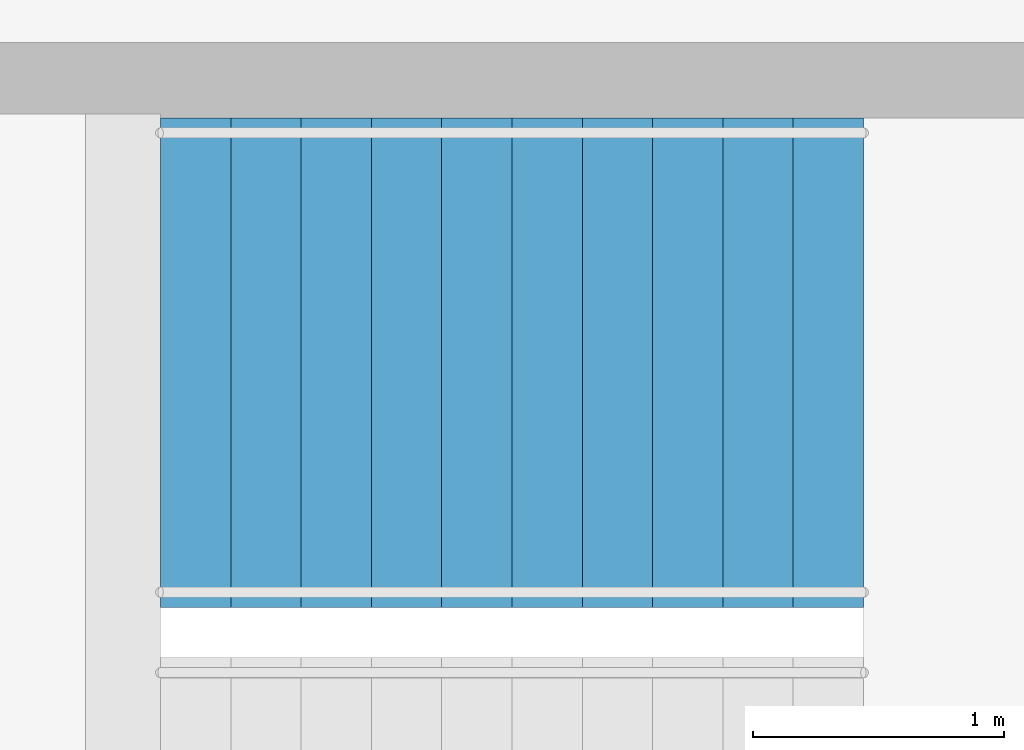
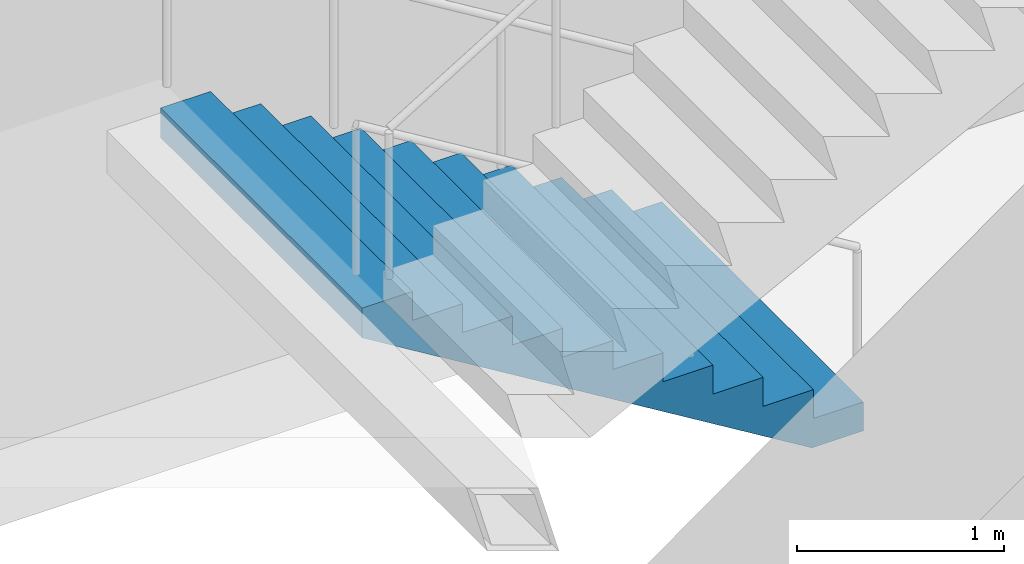
# One storey, part 25 of 27: 1 stair flight, 1 element without a shape of its own.
"""IFC4 building model written with IfcOpenShell, lengths in metres."""

from ifc_helpers import new_model, si_unit, direction, frame, origin, place, context, subcontext, project, spatial, triangles, material, type_object, element, aggregate, save


model = new_model("IFC4")

# Units and contexts
model_context = context("Model", 3, precision=1e-05, world=origin(), true_north=direction((0.0, 1.0)))
body_context = subcontext(model_context, "Body", "Model", "MODEL_VIEW")
ifc_project = project(units=[si_unit("LENGTHUNIT", "METRE"), si_unit("AREAUNIT", "SQUARE_METRE"), si_unit("VOLUMEUNIT", "CUBIC_METRE"), si_unit("PLANEANGLEUNIT", "RADIAN"), si_unit("MASSUNIT", "GRAM", prefix="KILO")], contexts=[model_context])

# Site, building, storey
site_placement = place(None, origin())
site = spatial("IfcSite", under=ifc_project, at=site_placement, CompositionType="ELEMENT")
building_placement = place(site_placement, origin())
building = spatial("IfcBuilding", under=site, at=building_placement, Name="Orbita Commons", CompositionType="ELEMENT")
storey_placement = place(building_placement, frame((0.0, 0.0, 246.550048828125)))
storey = spatial("IfcBuildingStorey", under=building, at=storey_placement, Name="L61", CompositionType="ELEMENT", Elevation=246.550048828125)

# Stair, stair flight
ifc_material_1 = material(Name="Precast concrete C40/50", Category="concrete")
stair_type = type_object("IfcStairType", Name="Exit stair S2 2 flights 11 risers 170", PredefinedType="HALF_TURN_STAIR", material=ifc_material_1)
stair_placement = place(storey_placement, origin())
stair = element("IfcStair", 1, at=stair_placement, inside=storey, type_object=stair_type, Name="Exit stair S2 L61", PredefinedType="HALF_TURN_STAIR")
ifc_material_2 = material(Name="Precast concrete C40/50", Category="concrete")
stair_flight_type = type_object("IfcStairFlightType", Name="Stair flight 11 risers 170 x 280", PredefinedType="STRAIGHT", material=ifc_material_2)
stair_flight_placement = place(storey_placement, frame((63.550048828125, 29.27490234375, 0.0), z_axis=(0.0, 0.0, 1.0), x_axis=(-1.0, 0.0, 0.0)))
stair_flight = element("IfcStairFlight", 2, at=stair_flight_placement, type_object=stair_flight_type, Name="S2 flight 1", NumberOfRisers=11, NumberOfTreads=10, PredefinedType="STRAIGHT", RiserHeight=0.170454545, TreadLength=0.28, context=body_context, shape_type="Tessellation", body=[
    triangles([(0.0, 0.974976, 0.0), (0.0, 0.974976, 0.021307), (0.0, 0.81248, 0.021307), (0.0, 0.81248, 0.0), (0.0, 0.649984, 0.021307), (0.0, 0.649984, 0.0), (0.0, 0.487488, 0.021307), (0.0, 0.487488, 0.0), (0.0, 0.324992, 0.021307), (0.0, 0.324992, 0.0), (0.0, 0.162496, 0.021307), (0.0, 0.162496, 0.0), (0.0, 0.0, 0.021307), (0.0, 0.0, 0.0), (0.0, -0.162496, 0.021307), (0.0, -0.162496, 0.0), (0.0, -0.324992, 0.021307), (0.0, -0.324992, 0.0), (0.0, -0.487488, 0.021307), (0.0, -0.487488, 0.0), (0.0, -0.649984, 0.021307), (0.0, -0.649984, 0.0), (0.0, -0.81248, 0.021307), (0.0, -0.81248, 0.0), (0.0, -0.974976, 0.021307), (0.0, -0.974976, 0.0), (0.0, 0.974976, 0.042614), (0.0, 0.81248, 0.042614), (0.0, 0.649984, 0.042614), (0.0, 0.487488, 0.042614), (0.0, 0.324992, 0.042614), (0.0, 0.162496, 0.042614), (0.0, 0.0, 0.042614), (0.0, -0.162496, 0.042614), (0.0, -0.324992, 0.042614), (0.0, -0.487488, 0.042614), (0.0, -0.649984, 0.042614), (0.0, -0.81248, 0.042614), (0.0, -0.974976, 0.042614), (0.0, 0.974976, 0.06392), (0.0, 0.81248, 0.06392), (0.0, 0.649984, 0.06392), (0.0, 0.487488, 0.06392), (0.0, 0.324992, 0.06392), (0.0, 0.162496, 0.06392), (0.0, 0.0, 0.06392), (0.0, -0.162496, 0.06392), (0.0, -0.324992, 0.06392), (0.0, -0.487488, 0.06392), (0.0, -0.649984, 0.06392), (0.0, -0.81248, 0.06392), (0.0, -0.974976, 0.06392), (0.0, 0.974976, 0.085227), (0.0, 0.81248, 0.085227), (0.0, 0.649984, 0.085227), (0.0, 0.487488, 0.085227), (0.0, 0.324992, 0.085227), (0.0, 0.162496, 0.085227), (0.0, 0.0, 0.085227), (0.0, -0.162496, 0.085227), (0.0, -0.324992, 0.085227), (0.0, -0.487488, 0.085227), (0.0, -0.649984, 0.085227), (0.0, -0.81248, 0.085227), (0.0, -0.974976, 0.085227), (0.0, 0.974976, 0.106534), (0.0, 0.81248, 0.106534), (0.0, 0.649984, 0.106534), (0.0, 0.487488, 0.106534), (0.0, 0.324992, 0.106534), (0.0, 0.162496, 0.106534), (0.0, 0.0, 0.106534), (0.0, -0.162496, 0.106534), (0.0, -0.324992, 0.106534), (0.0, -0.487488, 0.106534), (0.0, -0.649984, 0.106534), (0.0, -0.81248, 0.106534), (0.0, -0.974976, 0.106534), (0.0, 0.974976, 0.127841), (0.0, 0.81248, 0.127841), (0.0, 0.649984, 0.127841), (0.0, 0.487488, 0.127841), (0.0, 0.324992, 0.127841), (0.0, 0.162496, 0.127841), (0.0, 0.0, 0.127841), (0.0, -0.162496, 0.127841), (0.0, -0.324992, 0.127841), (0.0, -0.487488, 0.127841), (0.0, -0.649984, 0.127841), (0.0, -0.81248, 0.127841), (0.0, -0.974976, 0.127841), (0.0, 0.974976, 0.149148), (0.0, 0.81248, 0.149148), (0.0, 0.649984, 0.149148), (0.0, 0.487488, 0.149148), (0.0, 0.324992, 0.149148), (0.0, 0.162496, 0.149148), (0.0, 0.0, 0.149148), (0.0, -0.162496, 0.149148), (0.0, -0.324992, 0.149148), (0.0, -0.487488, 0.149148), (0.0, -0.649984, 0.149148), (0.0, -0.81248, 0.149148), (0.0, -0.974976, 0.149148), (0.0, 0.974976, 0.170455), (0.0, 0.81248, 0.170455), (0.0, 0.649984, 0.170455), (0.0, 0.487488, 0.170455), (0.0, 0.324992, 0.170455), (0.0, 0.162496, 0.170455), (0.0, 0.0, 0.170455), (0.0, -0.162496, 0.170455), (0.0, -0.324992, 0.170455), (0.0, -0.487488, 0.170455), (0.0, -0.649984, 0.170455), (0.0, -0.81248, 0.170455), (0.0, -0.974976, 0.170455), (0.28, 0.974976, 0.170455), (0.28, 0.81248, 0.170455), (0.28, 0.649984, 0.170455), (0.28, 0.487488, 0.170455), (0.28, 0.324992, 0.170455), (0.28, 0.162496, 0.170455), (0.28, 0.0, 0.170455), (0.28, -0.162496, 0.170455), (0.28, -0.324992, 0.170455), (0.28, -0.487488, 0.170455), (0.28, -0.649984, 0.170455), (0.28, -0.81248, 0.170455), (0.28, -0.974976, 0.170455), (0.28, 0.974976, 0.340909), (0.28, 0.81248, 0.340909), (0.28, 0.649984, 0.340909), (0.28, 0.487488, 0.340909), (0.28, 0.324992, 0.340909), (0.28, 0.162496, 0.340909), (0.28, 0.0, 0.340909), (0.28, -0.162496, 0.340909), (0.28, -0.324992, 0.340909), (0.28, -0.487488, 0.340909), (0.28, -0.649984, 0.340909), (0.28, -0.81248, 0.340909), (0.28, -0.974976, 0.340909), (0.56, 0.974976, 0.340909), (0.56, 0.81248, 0.340909), (0.56, 0.649984, 0.340909), (0.56, 0.487488, 0.340909), (0.56, 0.324992, 0.340909), (0.56, 0.162496, 0.340909), (0.56, 0.0, 0.340909), (0.56, -0.162496, 0.340909), (0.56, -0.324992, 0.340909), (0.56, -0.487488, 0.340909), (0.56, -0.649984, 0.340909), (0.56, -0.81248, 0.340909), (0.56, -0.974976, 0.340909), (0.56, 0.974976, 0.511364), (0.56, 0.81248, 0.511364), (0.56, 0.649984, 0.511364), (0.56, 0.487488, 0.511364), (0.56, 0.324992, 0.511364), (0.56, 0.162496, 0.511364), (0.56, 0.0, 0.511364), (0.56, -0.162496, 0.511364), (0.56, -0.324992, 0.511364), (0.56, -0.487488, 0.511364), (0.56, -0.649984, 0.511364), (0.56, -0.81248, 0.511364), (0.56, -0.974976, 0.511364), (0.84, 0.974976, 0.511364), (0.84, 0.81248, 0.511364), (0.84, 0.649984, 0.511364), (0.84, 0.487488, 0.511364), (0.84, 0.324992, 0.511364), (0.84, 0.162496, 0.511364), (0.84, 0.0, 0.511364), (0.84, -0.162496, 0.511364), (0.84, -0.324992, 0.511364), (0.84, -0.487488, 0.511364), (0.84, -0.649984, 0.511364), (0.84, -0.81248, 0.511364), (0.84, -0.974976, 0.511364), (0.84, 0.974976, 0.681818), (0.84, 0.81248, 0.681818), (0.84, 0.649984, 0.681818), (0.84, 0.487488, 0.681818), (0.84, 0.324992, 0.681818), (0.84, 0.162496, 0.681818), (0.84, 0.0, 0.681818), (0.84, -0.162496, 0.681818), (0.84, -0.324992, 0.681818), (0.84, -0.487488, 0.681818), (0.84, -0.649984, 0.681818), (0.84, -0.81248, 0.681818), (0.84, -0.974976, 0.681818), (1.12, 0.974976, 0.681818), (1.12, 0.81248, 0.681818), (1.12, 0.649984, 0.681818), (1.12, 0.487488, 0.681818), (1.12, 0.324992, 0.681818), (1.12, 0.162496, 0.681818), (1.12, 0.0, 0.681818), (1.12, -0.162496, 0.681818), (1.12, -0.324992, 0.681818), (1.12, -0.487488, 0.681818), (1.12, -0.649984, 0.681818), (1.12, -0.81248, 0.681818), (1.12, -0.974976, 0.681818), (1.12, 0.974976, 0.852273), (1.12, 0.81248, 0.852273), (1.12, 0.649984, 0.852273), (1.12, 0.487488, 0.852273), (1.12, 0.324992, 0.852273), (1.12, 0.162496, 0.852273), (1.12, 0.0, 0.852273), (1.12, -0.162496, 0.852273), (1.12, -0.324992, 0.852273), (1.12, -0.487488, 0.852273), (1.12, -0.649984, 0.852273), (1.12, -0.81248, 0.852273), (1.12, -0.974976, 0.852273), (1.4, 0.974976, 0.852273), (1.4, 0.81248, 0.852273), (1.4, 0.649984, 0.852273), (1.4, 0.487488, 0.852273), (1.4, 0.324992, 0.852273), (1.4, 0.162496, 0.852273), (1.4, 0.0, 0.852273), (1.4, -0.162496, 0.852273), (1.4, -0.324992, 0.852273), (1.4, -0.487488, 0.852273), (1.4, -0.649984, 0.852273), (1.4, -0.81248, 0.852273), (1.4, -0.974976, 0.852273), (1.4, 0.974976, 1.022727), (1.4, 0.81248, 1.022727), (1.4, 0.649984, 1.022727), (1.4, 0.487488, 1.022727), (1.4, 0.324992, 1.022727), (1.4, 0.162496, 1.022727), (1.4, 0.0, 1.022727), (1.4, -0.162496, 1.022727), (1.4, -0.324992, 1.022727), (1.4, -0.487488, 1.022727), (1.4, -0.649984, 1.022727), (1.4, -0.81248, 1.022727), (1.4, -0.974976, 1.022727), (1.68, 0.974976, 1.022727), (1.68, 0.81248, 1.022727), (1.68, 0.649984, 1.022727), (1.68, 0.487488, 1.022727), (1.68, 0.324992, 1.022727), (1.68, 0.162496, 1.022727), (1.68, 0.0, 1.022727), (1.68, -0.162496, 1.022727), (1.68, -0.324992, 1.022727), (1.68, -0.487488, 1.022727), (1.68, -0.649984, 1.022727), (1.68, -0.81248, 1.022727), (1.68, -0.974976, 1.022727), (1.68, 0.974976, 1.193182), (1.68, 0.81248, 1.193182), (1.68, 0.649984, 1.193182), (1.68, 0.487488, 1.193182), (1.68, 0.324992, 1.193182), (1.68, 0.162496, 1.193182), (1.68, 0.0, 1.193182), (1.68, -0.162496, 1.193182), (1.68, -0.324992, 1.193182), (1.68, -0.487488, 1.193182), (1.68, -0.649984, 1.193182), (1.68, -0.81248, 1.193182), (1.68, -0.974976, 1.193182), (1.96, 0.974976, 1.193182), (1.96, 0.81248, 1.193182), (1.96, 0.649984, 1.193182), (1.96, 0.487488, 1.193182), (1.96, 0.324992, 1.193182), (1.96, 0.162496, 1.193182), (1.96, 0.0, 1.193182), (1.96, -0.162496, 1.193182), (1.96, -0.324992, 1.193182), (1.96, -0.487488, 1.193182), (1.96, -0.649984, 1.193182), (1.96, -0.81248, 1.193182), (1.96, -0.974976, 1.193182), (1.96, 0.974976, 1.363636), (1.96, 0.81248, 1.363636), (1.96, 0.649984, 1.363636), (1.96, 0.487488, 1.363636), (1.96, 0.324992, 1.363636), (1.96, 0.162496, 1.363636), (1.96, 0.0, 1.363636), (1.96, -0.162496, 1.363636), (1.96, -0.324992, 1.363636), (1.96, -0.487488, 1.363636), (1.96, -0.649984, 1.363636), (1.96, -0.81248, 1.363636), (1.96, -0.974976, 1.363636), (2.24, 0.974976, 1.363636), (2.24, 0.81248, 1.363636), (2.24, 0.649984, 1.363636), (2.24, 0.487488, 1.363636), (2.24, 0.324992, 1.363636), (2.24, 0.162496, 1.363636), (2.24, 0.0, 1.363636), (2.24, -0.162496, 1.363636), (2.24, -0.324992, 1.363636), (2.24, -0.487488, 1.363636), (2.24, -0.649984, 1.363636), (2.24, -0.81248, 1.363636), (2.24, -0.974976, 1.363636), (2.24, 0.974976, 1.534091), (2.24, 0.81248, 1.534091), (2.24, 0.649984, 1.534091), (2.24, 0.487488, 1.534091), (2.24, 0.324992, 1.534091), (2.24, 0.162496, 1.534091), (2.24, 0.0, 1.534091), (2.24, -0.162496, 1.534091), (2.24, -0.324992, 1.534091), (2.24, -0.487488, 1.534091), (2.24, -0.649984, 1.534091), (2.24, -0.81248, 1.534091), (2.24, -0.974976, 1.534091), (2.52, 0.974976, 1.534091), (2.52, 0.81248, 1.534091), (2.52, 0.649984, 1.534091), (2.52, 0.487488, 1.534091), (2.52, 0.324992, 1.534091), (2.52, 0.162496, 1.534091), (2.52, 0.0, 1.534091), (2.52, -0.162496, 1.534091), (2.52, -0.324992, 1.534091), (2.52, -0.487488, 1.534091), (2.52, -0.649984, 1.534091), (2.52, -0.81248, 1.534091), (2.52, -0.974976, 1.534091), (2.52, 0.974976, 1.704545), (2.52, 0.81248, 1.704545), (2.52, 0.649984, 1.704545), (2.52, 0.487488, 1.704545), (2.52, 0.324992, 1.704545), (2.52, 0.162496, 1.704545), (2.52, 0.0, 1.704545), (2.52, -0.162496, 1.704545), (2.52, -0.324992, 1.704545), (2.52, -0.487488, 1.704545), (2.52, -0.649984, 1.704545), (2.52, -0.81248, 1.704545), (2.52, -0.974976, 1.704545), (2.8, 0.974976, 1.704545), (2.8, 0.81248, 1.704545), (2.8, 0.649984, 1.704545), (2.8, 0.487488, 1.704545), (2.8, 0.324992, 1.704545), (2.8, 0.162496, 1.704545), (2.8, 0.0, 1.704545), (2.8, -0.162496, 1.704545), (2.8, -0.324992, 1.704545), (2.8, -0.487488, 1.704545), (2.8, -0.649984, 1.704545), (2.8, -0.81248, 1.704545), (2.8, -0.974976, 1.704545), (2.8, 0.974976, 1.682609), (2.8, 0.81248, 1.682609), (2.8, 0.649984, 1.682609), (2.8, 0.487488, 1.682609), (2.8, 0.324992, 1.682609), (2.8, 0.162496, 1.682609), (2.8, 0.0, 1.682609), (2.8, -0.162496, 1.682609), (2.8, -0.324992, 1.682609), (2.8, -0.487488, 1.682609), (2.8, -0.649984, 1.682609), (2.8, -0.81248, 1.682609), (2.8, -0.974976, 1.682609), (2.8, 0.974976, 1.660672), (2.8, 0.81248, 1.660672), (2.8, 0.649984, 1.660672), (2.8, 0.487488, 1.660672), (2.8, 0.324992, 1.660672), (2.8, 0.162496, 1.660672), (2.8, 0.0, 1.660672), (2.8, -0.162496, 1.660672), (2.8, -0.324992, 1.660672), (2.8, -0.487488, 1.660672), (2.8, -0.649984, 1.660672), (2.8, -0.81248, 1.660672), (2.8, -0.974976, 1.660672), (2.8, 0.974976, 1.638735), (2.8, 0.81248, 1.638735), (2.8, 0.649984, 1.638735), (2.8, 0.487488, 1.638735), (2.8, 0.324992, 1.638735), (2.8, 0.162496, 1.638735), (2.8, 0.0, 1.638735), (2.8, -0.162496, 1.638735), (2.8, -0.324992, 1.638735), (2.8, -0.487488, 1.638735), (2.8, -0.649984, 1.638735), (2.8, -0.81248, 1.638735), (2.8, -0.974976, 1.638735), (2.8, 0.974976, 1.616798), (2.8, 0.81248, 1.616798), (2.8, 0.649984, 1.616798), (2.8, 0.487488, 1.616798), (2.8, 0.324992, 1.616798), (2.8, 0.162496, 1.616798), (2.8, 0.0, 1.616798), (2.8, -0.162496, 1.616798), (2.8, -0.324992, 1.616798), (2.8, -0.487488, 1.616798), (2.8, -0.649984, 1.616798), (2.8, -0.81248, 1.616798), (2.8, -0.974976, 1.616798), (2.8, 0.974976, 1.594861), (2.8, 0.81248, 1.594861), (2.8, 0.649984, 1.594861), (2.8, 0.487488, 1.594861), (2.8, 0.324992, 1.594861), (2.8, 0.162496, 1.594861), (2.8, 0.0, 1.594861), (2.8, -0.162496, 1.594861), (2.8, -0.324992, 1.594861), (2.8, -0.487488, 1.594861), (2.8, -0.649984, 1.594861), (2.8, -0.81248, 1.594861), (2.8, -0.974976, 1.594861), (2.8, 0.974976, 1.572925), (2.8, 0.81248, 1.572925), (2.8, 0.649984, 1.572925), (2.8, 0.487488, 1.572925), (2.8, 0.324992, 1.572925), (2.8, 0.162496, 1.572925), (2.8, 0.0, 1.572925), (2.8, -0.162496, 1.572925), (2.8, -0.324992, 1.572925), (2.8, -0.487488, 1.572925), (2.8, -0.649984, 1.572925), (2.8, -0.81248, 1.572925), (2.8, -0.974976, 1.572925), (2.8, 0.974976, 1.550988), (2.8, 0.81248, 1.550988), (2.8, 0.649984, 1.550988), (2.8, 0.487488, 1.550988), (2.8, 0.324992, 1.550988), (2.8, 0.162496, 1.550988), (2.8, 0.0, 1.550988), (2.8, -0.162496, 1.550988), (2.8, -0.324992, 1.550988), (2.8, -0.487488, 1.550988), (2.8, -0.649984, 1.550988), (2.8, -0.81248, 1.550988), (2.8, -0.974976, 1.550988), (2.8, 0.974976, 1.529051), (2.8, 0.81248, 1.529051), (2.8, 0.649984, 1.529051), (2.8, 0.487488, 1.529051), (2.8, 0.324992, 1.529051), (2.8, 0.162496, 1.529051), (2.8, 0.0, 1.529051), (2.8, -0.162496, 1.529051), (2.8, -0.324992, 1.529051), (2.8, -0.487488, 1.529051), (2.8, -0.649984, 1.529051), (2.8, -0.81248, 1.529051), (2.8, -0.974976, 1.529051), (0.288279, 0.974976, 0.0), (0.288279, 0.81248, 0.0), (0.288279, 0.649984, 0.0), (0.288279, 0.487488, 0.0), (0.288279, 0.324992, 0.0), (0.288279, 0.162496, 0.0), (0.288279, 0.0, 0.0), (0.288279, -0.162496, 0.0), (0.288279, -0.324992, 0.0), (0.288279, -0.487488, 0.0), (0.288279, -0.649984, 0.0), (0.288279, -0.81248, 0.0), (0.288279, -0.974976, 0.0)], [[3, 2, 1], [4, 3, 1], [5, 3, 4], [6, 5, 4], [7, 5, 6], [8, 7, 6], [9, 7, 8], [10, 9, 8], [11, 9, 10], [12, 11, 10], [13, 11, 12], [14, 13, 12], [15, 13, 14], [16, 15, 14], [17, 15, 16], [18, 17, 16], [19, 17, 18], [20, 19, 18], [21, 19, 20], [22, 21, 20], [23, 21, 22], [24, 23, 22], [25, 23, 24], [26, 25, 24], [28, 27, 2], [3, 28, 2], [29, 28, 3], [5, 29, 3], [30, 29, 5], [7, 30, 5], [31, 30, 7], [9, 31, 7], [32, 31, 9], [11, 32, 9], [33, 32, 11], [13, 33, 11], [34, 33, 13], [15, 34, 13], [35, 34, 15], [17, 35, 15], [36, 35, 17], [19, 36, 17], [37, 36, 19], [21, 37, 19], [38, 37, 21], [23, 38, 21], [39, 38, 23], [25, 39, 23], [41, 40, 27], [28, 41, 27], [42, 41, 28], [29, 42, 28], [43, 42, 29], [30, 43, 29], [44, 43, 30], [31, 44, 30], [45, 44, 31], [32, 45, 31], [46, 45, 32], [33, 46, 32], [47, 46, 33], [34, 47, 33], [48, 47, 34], [35, 48, 34], [49, 48, 35], [36, 49, 35], [50, 49, 36], [37, 50, 36], [51, 50, 37], [38, 51, 37], [52, 51, 38], [39, 52, 38], [54, 53, 40], [41, 54, 40], [55, 54, 41], [42, 55, 41], [56, 55, 42], [43, 56, 42], [57, 56, 43], [44, 57, 43], [58, 57, 44], [45, 58, 44], [59, 58, 45], [46, 59, 45], [60, 59, 46], [47, 60, 46], [61, 60, 47], [48, 61, 47], [62, 61, 48], [49, 62, 48], [63, 62, 49], [50, 63, 49], [64, 63, 50], [51, 64, 50], [65, 64, 51], [52, 65, 51], [67, 66, 53], [54, 67, 53], [68, 67, 54], [55, 68, 54], [69, 68, 55], [56, 69, 55], [70, 69, 56], [57, 70, 56], [71, 70, 57], [58, 71, 57], [72, 71, 58], [59, 72, 58], [73, 72, 59], [60, 73, 59], [74, 73, 60], [61, 74, 60], [75, 74, 61], [62, 75, 61], [76, 75, 62], [63, 76, 62], [77, 76, 63], [64, 77, 63], [78, 77, 64], [65, 78, 64], [80, 79, 66], [67, 80, 66], [81, 80, 67], [68, 81, 67], [82, 81, 68], [69, 82, 68], [83, 82, 69], [70, 83, 69], [84, 83, 70], [71, 84, 70], [85, 84, 71], [72, 85, 71], [86, 85, 72], [73, 86, 72], [87, 86, 73], [74, 87, 73], [88, 87, 74], [75, 88, 74], [89, 88, 75], [76, 89, 75], [90, 89, 76], [77, 90, 76], [91, 90, 77], [78, 91, 77], [93, 92, 79], [80, 93, 79], [94, 93, 80], [81, 94, 80], [95, 94, 81], [82, 95, 81], [96, 95, 82], [83, 96, 82], [97, 96, 83], [84, 97, 83], [98, 97, 84], [85, 98, 84], [99, 98, 85], [86, 99, 85], [100, 99, 86], [87, 100, 86], [101, 100, 87], [88, 101, 87], [102, 101, 88], [89, 102, 88], [103, 102, 89], [90, 103, 89], [104, 103, 90], [91, 104, 90], [106, 105, 92], [93, 106, 92], [107, 106, 93], [94, 107, 93], [108, 107, 94], [95, 108, 94], [109, 108, 95], [96, 109, 95], [110, 109, 96], [97, 110, 96], [111, 110, 97], [98, 111, 97], [112, 111, 98], [99, 112, 98], [113, 112, 99], [100, 113, 99], [114, 113, 100], [101, 114, 100], [115, 114, 101], [102, 115, 101], [116, 115, 102], [103, 116, 102], [117, 116, 103], [104, 117, 103], [119, 118, 105], [106, 119, 105], [120, 119, 106], [107, 120, 106], [121, 120, 107], [108, 121, 107], [122, 121, 108], [109, 122, 108], [123, 122, 109], [110, 123, 109], [124, 123, 110], [111, 124, 110], [125, 124, 111], [112, 125, 111], [126, 125, 112], [113, 126, 112], [127, 126, 113], [114, 127, 113], [128, 127, 114], [115, 128, 114], [129, 128, 115], [116, 129, 115], [130, 129, 116], [117, 130, 116], [132, 131, 118], [119, 132, 118], [133, 132, 119], [120, 133, 119], [134, 133, 120], [121, 134, 120], [135, 134, 121], [122, 135, 121], [136, 135, 122], [123, 136, 122], [137, 136, 123], [124, 137, 123], [138, 137, 124], [125, 138, 124], [139, 138, 125], [126, 139, 125], [140, 139, 126], [127, 140, 126], [141, 140, 127], [128, 141, 127], [142, 141, 128], [129, 142, 128], [143, 142, 129], [130, 143, 129], [145, 144, 131], [132, 145, 131], [146, 145, 132], [133, 146, 132], [147, 146, 133], [134, 147, 133], [148, 147, 134], [135, 148, 134], [149, 148, 135], [136, 149, 135], [150, 149, 136], [137, 150, 136], [151, 150, 137], [138, 151, 137], [152, 151, 138], [139, 152, 138], [153, 152, 139], [140, 153, 139], [154, 153, 140], [141, 154, 140], [155, 154, 141], [142, 155, 141], [156, 155, 142], [143, 156, 142], [158, 157, 144], [145, 158, 144], [159, 158, 145], [146, 159, 145], [160, 159, 146], [147, 160, 146], [161, 160, 147], [148, 161, 147], [162, 161, 148], [149, 162, 148], [163, 162, 149], [150, 163, 149], [164, 163, 150], [151, 164, 150], [165, 164, 151], [152, 165, 151], [166, 165, 152], [153, 166, 152], [167, 166, 153], [154, 167, 153], [168, 167, 154], [155, 168, 154], [169, 168, 155], [156, 169, 155], [171, 170, 157], [158, 171, 157], [172, 171, 158], [159, 172, 158], [173, 172, 159], [160, 173, 159], [174, 173, 160], [161, 174, 160], [175, 174, 161], [162, 175, 161], [176, 175, 162], [163, 176, 162], [177, 176, 163], [164, 177, 163], [178, 177, 164], [165, 178, 164], [179, 178, 165], [166, 179, 165], [180, 179, 166], [167, 180, 166], [181, 180, 167], [168, 181, 167], [182, 181, 168], [169, 182, 168], [184, 183, 170], [171, 184, 170], [185, 184, 171], [172, 185, 171], [186, 185, 172], [173, 186, 172], [187, 186, 173], [174, 187, 173], [188, 187, 174], [175, 188, 174], [189, 188, 175], [176, 189, 175], [190, 189, 176], [177, 190, 176], [191, 190, 177], [178, 191, 177], [192, 191, 178], [179, 192, 178], [193, 192, 179], [180, 193, 179], [194, 193, 180], [181, 194, 180], [195, 194, 181], [182, 195, 181], [197, 196, 183], [184, 197, 183], [198, 197, 184], [185, 198, 184], [199, 198, 185], [186, 199, 185], [200, 199, 186], [187, 200, 186], [201, 200, 187], [188, 201, 187], [202, 201, 188], [189, 202, 188], [203, 202, 189], [190, 203, 189], [204, 203, 190], [191, 204, 190], [205, 204, 191], [192, 205, 191], [206, 205, 192], [193, 206, 192], [207, 206, 193], [194, 207, 193], [208, 207, 194], [195, 208, 194], [210, 209, 196], [197, 210, 196], [211, 210, 197], [198, 211, 197], [212, 211, 198], [199, 212, 198], [213, 212, 199], [200, 213, 199], [214, 213, 200], [201, 214, 200], [215, 214, 201], [202, 215, 201], [216, 215, 202], [203, 216, 202], [217, 216, 203], [204, 217, 203], [218, 217, 204], [205, 218, 204], [219, 218, 205], [206, 219, 205], [220, 219, 206], [207, 220, 206], [221, 220, 207], [208, 221, 207], [223, 222, 209], [210, 223, 209], [224, 223, 210], [211, 224, 210], [225, 224, 211], [212, 225, 211], [226, 225, 212], [213, 226, 212], [227, 226, 213], [214, 227, 213], [228, 227, 214], [215, 228, 214], [229, 228, 215], [216, 229, 215], [230, 229, 216], [217, 230, 216], [231, 230, 217], [218, 231, 217], [232, 231, 218], [219, 232, 218], [233, 232, 219], [220, 233, 219], [234, 233, 220], [221, 234, 220], [236, 235, 222], [223, 236, 222], [237, 236, 223], [224, 237, 223], [238, 237, 224], [225, 238, 224], [239, 238, 225], [226, 239, 225], [240, 239, 226], [227, 240, 226], [241, 240, 227], [228, 241, 227], [242, 241, 228], [229, 242, 228], [243, 242, 229], [230, 243, 229], [244, 243, 230], [231, 244, 230], [245, 244, 231], [232, 245, 231], [246, 245, 232], [233, 246, 232], [247, 246, 233], [234, 247, 233], [249, 248, 235], [236, 249, 235], [250, 249, 236], [237, 250, 236], [251, 250, 237], [238, 251, 237], [252, 251, 238], [239, 252, 238], [253, 252, 239], [240, 253, 239], [254, 253, 240], [241, 254, 240], [255, 254, 241], [242, 255, 241], [256, 255, 242], [243, 256, 242], [257, 256, 243], [244, 257, 243], [258, 257, 244], [245, 258, 244], [259, 258, 245], [246, 259, 245], [260, 259, 246], [247, 260, 246], [262, 261, 248], [249, 262, 248], [263, 262, 249], [250, 263, 249], [264, 263, 250], [251, 264, 250], [265, 264, 251], [252, 265, 251], [266, 265, 252], [253, 266, 252], [267, 266, 253], [254, 267, 253], [268, 267, 254], [255, 268, 254], [269, 268, 255], [256, 269, 255], [270, 269, 256], [257, 270, 256], [271, 270, 257], [258, 271, 257], [272, 271, 258], [259, 272, 258], [273, 272, 259], [260, 273, 259], [275, 274, 261], [262, 275, 261], [276, 275, 262], [263, 276, 262], [277, 276, 263], [264, 277, 263], [278, 277, 264], [265, 278, 264], [279, 278, 265], [266, 279, 265], [280, 279, 266], [267, 280, 266], [281, 280, 267], [268, 281, 267], [282, 281, 268], [269, 282, 268], [283, 282, 269], [270, 283, 269], [284, 283, 270], [271, 284, 270], [285, 284, 271], [272, 285, 271], [286, 285, 272], [273, 286, 272], [288, 287, 274], [275, 288, 274], [289, 288, 275], [276, 289, 275], [290, 289, 276], [277, 290, 276], [291, 290, 277], [278, 291, 277], [292, 291, 278], [279, 292, 278], [293, 292, 279], [280, 293, 279], [294, 293, 280], [281, 294, 280], [295, 294, 281], [282, 295, 281], [296, 295, 282], [283, 296, 282], [297, 296, 283], [284, 297, 283], [298, 297, 284], [285, 298, 284], [299, 298, 285], [286, 299, 285], [301, 300, 287], [288, 301, 287], [302, 301, 288], [289, 302, 288], [303, 302, 289], [290, 303, 289], [304, 303, 290], [291, 304, 290], [305, 304, 291], [292, 305, 291], [306, 305, 292], [293, 306, 292], [307, 306, 293], [294, 307, 293], [308, 307, 294], [295, 308, 294], [309, 308, 295], [296, 309, 295], [310, 309, 296], [297, 310, 296], [311, 310, 297], [298, 311, 297], [312, 311, 298], [299, 312, 298], [314, 313, 300], [301, 314, 300], [315, 314, 301], [302, 315, 301], [316, 315, 302], [303, 316, 302], [317, 316, 303], [304, 317, 303], [318, 317, 304], [305, 318, 304], [319, 318, 305], [306, 319, 305], [320, 319, 306], [307, 320, 306], [321, 320, 307], [308, 321, 307], [322, 321, 308], [309, 322, 308], [323, 322, 309], [310, 323, 309], [324, 323, 310], [311, 324, 310], [325, 324, 311], [312, 325, 311], [327, 326, 313], [314, 327, 313], [328, 327, 314], [315, 328, 314], [329, 328, 315], [316, 329, 315], [330, 329, 316], [317, 330, 316], [331, 330, 317], [318, 331, 317], [332, 331, 318], [319, 332, 318], [333, 332, 319], [320, 333, 319], [334, 333, 320], [321, 334, 320], [335, 334, 321], [322, 335, 321], [336, 335, 322], [323, 336, 322], [337, 336, 323], [324, 337, 323], [338, 337, 324], [325, 338, 324], [340, 339, 326], [327, 340, 326], [341, 340, 327], [328, 341, 327], [342, 341, 328], [329, 342, 328], [343, 342, 329], [330, 343, 329], [344, 343, 330], [331, 344, 330], [345, 344, 331], [332, 345, 331], [346, 345, 332], [333, 346, 332], [347, 346, 333], [334, 347, 333], [348, 347, 334], [335, 348, 334], [349, 348, 335], [336, 349, 335], [350, 349, 336], [337, 350, 336], [351, 350, 337], [338, 351, 337], [353, 352, 339], [340, 353, 339], [354, 353, 340], [341, 354, 340], [355, 354, 341], [342, 355, 341], [356, 355, 342], [343, 356, 342], [357, 356, 343], [344, 357, 343], [358, 357, 344], [345, 358, 344], [359, 358, 345], [346, 359, 345], [360, 359, 346], [347, 360, 346], [361, 360, 347], [348, 361, 347], [362, 361, 348], [349, 362, 348], [363, 362, 349], [350, 363, 349], [364, 363, 350], [351, 364, 350], [366, 365, 352], [353, 366, 352], [367, 366, 353], [354, 367, 353], [368, 367, 354], [355, 368, 354], [369, 368, 355], [356, 369, 355], [370, 369, 356], [357, 370, 356], [371, 370, 357], [358, 371, 357], [372, 371, 358], [359, 372, 358], [373, 372, 359], [360, 373, 359], [374, 373, 360], [361, 374, 360], [375, 374, 361], [362, 375, 361], [376, 375, 362], [363, 376, 362], [377, 376, 363], [364, 377, 363], [379, 378, 365], [366, 379, 365], [380, 379, 366], [367, 380, 366], [381, 380, 367], [368, 381, 367], [382, 381, 368], [369, 382, 368], [383, 382, 369], [370, 383, 369], [384, 383, 370], [371, 384, 370], [385, 384, 371], [372, 385, 371], [386, 385, 372], [373, 386, 372], [387, 386, 373], [374, 387, 373], [388, 387, 374], [375, 388, 374], [389, 388, 375], [376, 389, 375], [390, 389, 376], [377, 390, 376], [392, 391, 378], [379, 392, 378], [393, 392, 379], [380, 393, 379], [394, 393, 380], [381, 394, 380], [395, 394, 381], [382, 395, 381], [396, 395, 382], [383, 396, 382], [397, 396, 383], [384, 397, 383], [398, 397, 384], [385, 398, 384], [399, 398, 385], [386, 399, 385], [400, 399, 386], [387, 400, 386], [401, 400, 387], [388, 401, 387], [402, 401, 388], [389, 402, 388], [403, 402, 389], [390, 403, 389], [405, 404, 391], [392, 405, 391], [406, 405, 392], [393, 406, 392], [407, 406, 393], [394, 407, 393], [408, 407, 394], [395, 408, 394], [409, 408, 395], [396, 409, 395], [410, 409, 396], [397, 410, 396], [411, 410, 397], [398, 411, 397], [412, 411, 398], [399, 412, 398], [413, 412, 399], [400, 413, 399], [414, 413, 400], [401, 414, 400], [415, 414, 401], [402, 415, 401], [416, 415, 402], [403, 416, 402], [418, 417, 404], [405, 418, 404], [419, 418, 405], [406, 419, 405], [420, 419, 406], [407, 420, 406], [421, 420, 407], [408, 421, 407], [422, 421, 408], [409, 422, 408], [423, 422, 409], [410, 423, 409], [424, 423, 410], [411, 424, 410], [425, 424, 411], [412, 425, 411], [426, 425, 412], [413, 426, 412], [427, 426, 413], [414, 427, 413], [428, 427, 414], [415, 428, 414], [429, 428, 415], [416, 429, 415], [431, 430, 417], [418, 431, 417], [432, 431, 418], [419, 432, 418], [433, 432, 419], [420, 433, 419], [434, 433, 420], [421, 434, 420], [435, 434, 421], [422, 435, 421], [436, 435, 422], [423, 436, 422], [437, 436, 423], [424, 437, 423], [438, 437, 424], [425, 438, 424], [439, 438, 425], [426, 439, 425], [440, 439, 426], [427, 440, 426], [441, 440, 427], [428, 441, 427], [442, 441, 428], [429, 442, 428], [444, 443, 430], [431, 444, 430], [445, 444, 431], [432, 445, 431], [446, 445, 432], [433, 446, 432], [447, 446, 433], [434, 447, 433], [448, 447, 434], [435, 448, 434], [449, 448, 435], [436, 449, 435], [450, 449, 436], [437, 450, 436], [451, 450, 437], [438, 451, 437], [452, 451, 438], [439, 452, 438], [453, 452, 439], [440, 453, 439], [454, 453, 440], [441, 454, 440], [455, 454, 441], [442, 455, 441], [457, 456, 443], [444, 457, 443], [458, 457, 444], [445, 458, 444], [459, 458, 445], [446, 459, 445], [460, 459, 446], [447, 460, 446], [461, 460, 447], [448, 461, 447], [462, 461, 448], [449, 462, 448], [463, 462, 449], [450, 463, 449], [464, 463, 450], [451, 464, 450], [465, 464, 451], [452, 465, 451], [466, 465, 452], [453, 466, 452], [467, 466, 453], [454, 467, 453], [468, 467, 454], [455, 468, 454], [470, 469, 456], [457, 470, 456], [471, 470, 457], [458, 471, 457], [472, 471, 458], [459, 472, 458], [473, 472, 459], [460, 473, 459], [474, 473, 460], [461, 474, 460], [475, 474, 461], [462, 475, 461], [476, 475, 462], [463, 476, 462], [477, 476, 463], [464, 477, 463], [478, 477, 464], [465, 478, 464], [479, 478, 465], [466, 479, 465], [480, 479, 466], [467, 480, 466], [481, 480, 467], [468, 481, 467], [4, 1, 469], [470, 4, 469], [6, 4, 470], [471, 6, 470], [8, 6, 471], [472, 8, 471], [10, 8, 472], [473, 10, 472], [12, 10, 473], [474, 12, 473], [14, 12, 474], [475, 14, 474], [16, 14, 475], [476, 16, 475], [18, 16, 476], [477, 18, 476], [20, 18, 477], [478, 20, 477], [22, 20, 478], [479, 22, 478], [24, 22, 479], [480, 24, 479], [26, 24, 480], [481, 26, 480], [456, 469, 1], [26, 481, 468], [443, 456, 1], [26, 468, 455], [430, 443, 1], [26, 455, 442], [417, 430, 1], [26, 442, 429], [404, 417, 1], [26, 429, 416], [391, 404, 1], [26, 416, 403], [378, 391, 1], [26, 403, 390], [365, 378, 1], [26, 390, 377], [339, 352, 365], [377, 364, 351], [326, 339, 365], [377, 351, 338], [300, 313, 326], [338, 325, 312], [300, 326, 365], [377, 338, 312], [274, 287, 300], [312, 299, 286], [274, 300, 365], [377, 312, 286], [248, 261, 274], [286, 273, 260], [248, 274, 365], [377, 286, 260], [222, 235, 248], [260, 247, 234], [222, 248, 365], [377, 260, 234], [196, 209, 222], [234, 221, 208], [196, 222, 365], [377, 234, 208], [170, 183, 196], [208, 195, 182], [170, 196, 365], [377, 208, 182], [144, 157, 170], [182, 169, 156], [144, 170, 365], [377, 182, 156], [118, 131, 144], [156, 143, 130], [118, 144, 365], [377, 156, 130], [118, 365, 1], [26, 377, 130], [92, 105, 118], [130, 117, 104], [79, 92, 118], [130, 104, 91], [66, 79, 118], [130, 91, 78], [53, 66, 118], [130, 78, 65], [40, 53, 118], [130, 65, 52], [27, 40, 118], [130, 52, 39], [2, 27, 118], [130, 39, 25], [1, 2, 118], [130, 25, 26]], closed=True),
])
aggregate(stair, [stair_flight])

save(model, "model.ifc")
